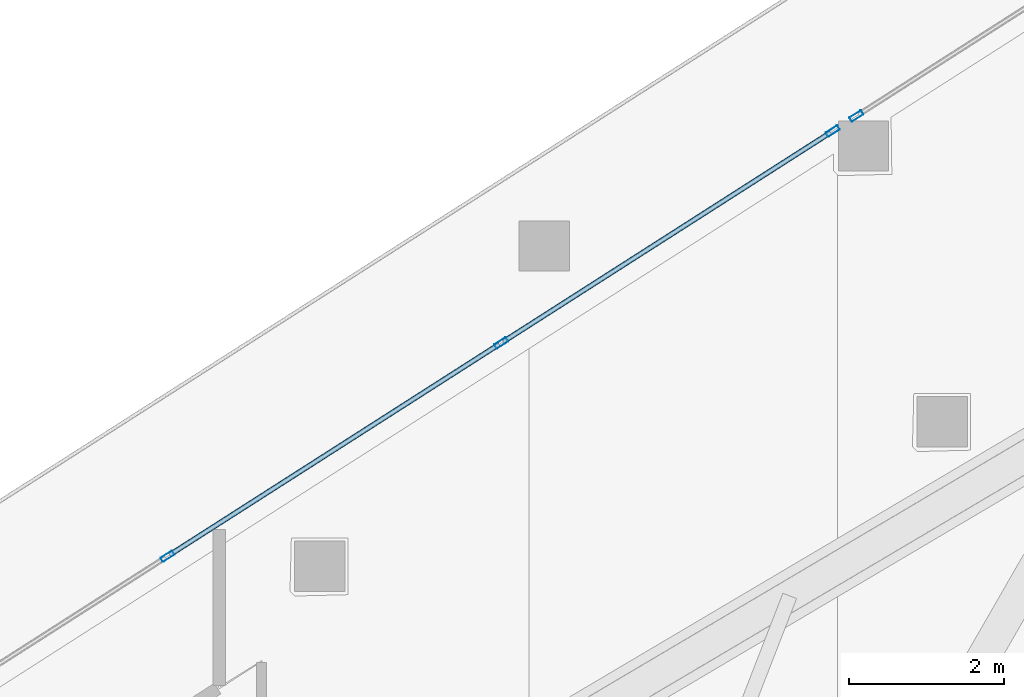
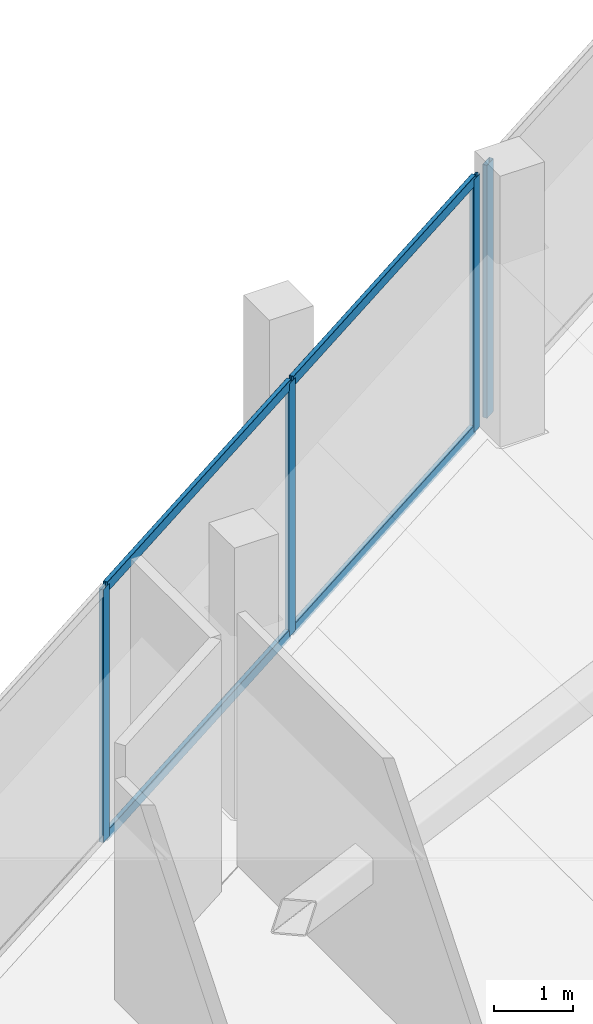
# One storey, part 26 of 52: 8 members, 2 elements without a shape of their own.
"""IFC4 building model written with IfcOpenShell, lengths in metres."""

from ifc_helpers import new_model, si_unit, direction, frame, origin, origin_2d, place, context, subcontext, project, spatial, hollow_rectangle, extrude, material, layer, layer_set, material_profile, profile_set, type_object, element, aggregate, save


model = new_model("IFC4")

# Units and contexts
model_context = context("Model", 3, precision=1e-05, world=origin(), true_north=direction((0.0, 1.0)))
body_context = subcontext(model_context, "Body", "Model", "MODEL_VIEW")
ifc_project = project(units=[si_unit("LENGTHUNIT", "METRE"), si_unit("AREAUNIT", "SQUARE_METRE"), si_unit("VOLUMEUNIT", "CUBIC_METRE"), si_unit("PLANEANGLEUNIT", "RADIAN"), si_unit("MASSUNIT", "GRAM", prefix="KILO")], contexts=[model_context])

# Site, building, storey
site_placement = place(None, origin())
site = spatial("IfcSite", under=ifc_project, at=site_placement, CompositionType="ELEMENT")
building_placement = place(site_placement, origin())
building = spatial("IfcBuilding", under=site, at=building_placement, Name="Qorvath Tower", CompositionType="ELEMENT")
storey_placement = place(building_placement, frame((0.0, 0.0, 61.800048828125)))
storey = spatial("IfcBuildingStorey", under=building, at=storey_placement, Name="L13", CompositionType="ELEMENT", Elevation=61.800048828125)

# Curtain wall, member
ifc_material_1 = material(Name="Anodised aluminium and triple low-E glass", Category="aluminium")
ifc_layer = layer(ifc_material_1, 0.179931640625)
ifc_layer_set = layer_set([ifc_layer], Name="CW-SYS-2")
curtain_wall_type = type_object("IfcCurtainWallType", Name="CW-SYS-2", PredefinedType="NOTDEFINED", material=ifc_layer_set)
curtain_wall_1_placement = place(storey_placement, origin())
curtain_wall_1 = element("IfcCurtainWall", 1, at=curtain_wall_1_placement, inside=storey, type_object=curtain_wall_type, Name="Curtain Wall CW-2 CW-T-L13-16.1", PredefinedType="NOTDEFINED")
ifc_material_2 = material(Name="Anodised aluminium 6063-T6", Category="aluminium")
ifc_material_profile_1 = material_profile(ifc_material_2, hollow_rectangle(XDim=0.06494140625, YDim=0.179931640625, WallThickness=0.00341796875, InnerFilletRadius=0.00341796875, OuterFilletRadius=0.007080078125, at=origin_2d()), Name="CWM 180x65")
ifc_profile_set_1 = profile_set([ifc_material_profile_1], Name="Anodised aluminium 6063-T6")
member_type_1 = type_object("IfcMemberType", Name="CWM-180", PredefinedType="MULLION", material=ifc_profile_set_1)
member_1_placement = place(storey_placement, frame((-18.091064453125, 30.8876953125, 0.0), z_axis=(0.0, 0.0, 1.0), x_axis=(0.53850821823, -0.842620257826, 0.0)))
member_1 = element("IfcMember", 2, at=member_1_placement, type_object=member_type_1, Name="CW-2 mullion 2", PredefinedType="MULLION", context=body_context, shape_type="SweptSolid", body=[
    extrude(hollow_rectangle(XDim=0.06494140625, YDim=0.179931640625, WallThickness=0.00341796875, InnerFilletRadius=0.00341796875, OuterFilletRadius=0.007080078125, at=origin_2d()), origin(), (0.0, 0.0, 1.0), 3.919921875),
])
aggregate(curtain_wall_1, [member_1])

# Curtain wall, members
curtain_wall_2_placement = place(storey_placement, origin())
curtain_wall_2 = element("IfcCurtainWall", 3, at=curtain_wall_2_placement, inside=storey, type_object=curtain_wall_type, Name="Curtain Wall CW-2 CW-T-L13-16.2", PredefinedType="NOTDEFINED")
member_2_placement = place(storey_placement, frame((-18.3974609375, 30.691650390625, 0.0), z_axis=(0.0, 0.0, 1.0), x_axis=(0.538539451152, -0.842600296435, 0.0)))
member_2 = element("IfcMember", 4, at=member_2_placement, type_object=member_type_1, Name="CW-2 mullion 1", PredefinedType="MULLION", context=body_context, shape_type="SweptSolid", body=[
    extrude(hollow_rectangle(XDim=0.06494140625, YDim=0.179931640625, WallThickness=0.00341796875, InnerFilletRadius=0.00341796875, OuterFilletRadius=0.007080078125, at=origin_2d()), origin(), (0.0, 0.0, 1.0), 3.919921875),
])
member_3_placement = place(storey_placement, frame((-22.6884765625, 27.94921875, 0.0), z_axis=(0.0, 0.0, 1.0), x_axis=(0.538539451152, -0.842600296435, 0.0)))
member_3 = element("IfcMember", 5, at=member_3_placement, type_object=member_type_1, Name="CW-2 mullion 2", PredefinedType="MULLION", context=body_context, shape_type="SweptSolid", body=[
    extrude(hollow_rectangle(XDim=0.06494140625, YDim=0.179931640625, WallThickness=0.00341796875, InnerFilletRadius=0.00341796875, OuterFilletRadius=0.007080078125, at=origin_2d()), origin(), (0.0, 0.0, 1.0), 3.919921875),
])
member_4_placement = place(storey_placement, frame((-27.007080078125, 25.18896484375, 0.0), z_axis=(0.0, 0.0, 1.0), x_axis=(0.538539451152, -0.842600296435, 0.0)))
member_4 = element("IfcMember", 6, at=member_4_placement, type_object=member_type_1, Name="CW-2 mullion 3", PredefinedType="MULLION", context=body_context, shape_type="SweptSolid", body=[
    extrude(hollow_rectangle(XDim=0.06494140625, YDim=0.179931640625, WallThickness=0.00341796875, InnerFilletRadius=0.00341796875, OuterFilletRadius=0.007080078125, at=origin_2d()), origin(), (0.0, 0.0, 1.0), 3.919921875),
])
ifc_material_3 = material(Name="Anodised aluminium 6063-T6", Category="aluminium")
ifc_material_profile_2 = material_profile(ifc_material_3, hollow_rectangle(XDim=0.06494140625, YDim=0.159912109375, WallThickness=0.00341796875, InnerFilletRadius=0.00341796875, OuterFilletRadius=0.007080078125, at=origin_2d()), Name="CWT 160x65")
ifc_profile_set_2 = profile_set([ifc_material_profile_2], Name="Anodised aluminium 6063-T6")
member_type_2 = type_object("IfcMemberType", Name="CWT-160", PredefinedType="USERDEFINED", material=ifc_profile_set_2)
member_5_placement = place(storey_placement, frame((-18.4248046875, 30.67431640625, 0.032470703125), z_axis=(-0.842586087681, -0.538561681562, 0.0), x_axis=(0.538561681562, -0.842586087681, 0.0)))
member_5 = element("IfcMember", 7, at=member_5_placement, type_object=member_type_2, Name="CW-2 transom 1.1", ObjectType="TRANSOM", PredefinedType="USERDEFINED", context=body_context, shape_type="SweptSolid", body=[
    extrude(hollow_rectangle(XDim=0.06494140625, YDim=0.159912109375, WallThickness=0.00341796875, InnerFilletRadius=0.00341796875, OuterFilletRadius=0.007080078125, at=origin_2d()), origin(), (0.0, 0.0, 1.0), 5.02783203125),
])
member_6_placement = place(storey_placement, frame((-18.4248046875, 30.67431640625, 3.887451171875), z_axis=(-0.842586087681, -0.538561681562, 0.0), x_axis=(0.538561681562, -0.842586087681, 0.0)))
member_6 = element("IfcMember", 8, at=member_6_placement, type_object=member_type_2, Name="CW-2 transom 1.2", ObjectType="TRANSOM", PredefinedType="USERDEFINED", context=body_context, shape_type="SweptSolid", body=[
    extrude(hollow_rectangle(XDim=0.06494140625, YDim=0.159912109375, WallThickness=0.00341796875, InnerFilletRadius=0.00341796875, OuterFilletRadius=0.007080078125, at=origin_2d()), origin(), (0.0, 0.0, 1.0), 5.02783203125),
])
member_7_placement = place(storey_placement, frame((-22.716064453125, 27.931640625, 0.032470703125), z_axis=(-0.842598957411, -0.538541546188, 0.0), x_axis=(0.538541546188, -0.842598957411, 0.0)))
member_7 = element("IfcMember", 9, at=member_7_placement, type_object=member_type_2, Name="CW-2 transom 2.1", ObjectType="TRANSOM", PredefinedType="USERDEFINED", context=body_context, shape_type="SweptSolid", body=[
    extrude(hollow_rectangle(XDim=0.06494140625, YDim=0.159912109375, WallThickness=0.00341796875, InnerFilletRadius=0.00341796875, OuterFilletRadius=0.007080078125, at=origin_2d()), origin(), (0.0, 0.0, 1.0), 5.06005859375),
])
member_8_placement = place(storey_placement, frame((-22.716064453125, 27.931640625, 3.887451171875), z_axis=(-0.842598957411, -0.538541546188, 0.0), x_axis=(0.538541546188, -0.842598957411, 0.0)))
member_8 = element("IfcMember", 10, at=member_8_placement, type_object=member_type_2, Name="CW-2 transom 2.2", ObjectType="TRANSOM", PredefinedType="USERDEFINED", context=body_context, shape_type="SweptSolid", body=[
    extrude(hollow_rectangle(XDim=0.06494140625, YDim=0.159912109375, WallThickness=0.00341796875, InnerFilletRadius=0.00341796875, OuterFilletRadius=0.007080078125, at=origin_2d()), origin(), (0.0, 0.0, 1.0), 5.06005859375),
])
aggregate(curtain_wall_2, [member_2, member_3, member_4, member_5, member_6, member_7, member_8])

save(model, "model.ifc")
